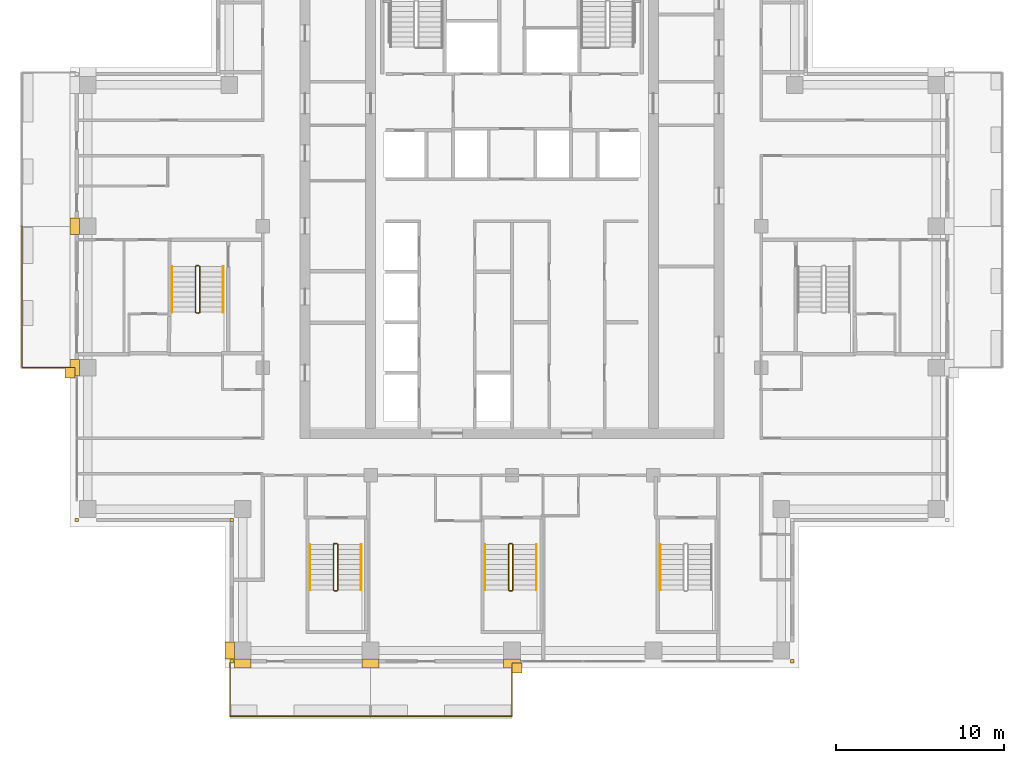
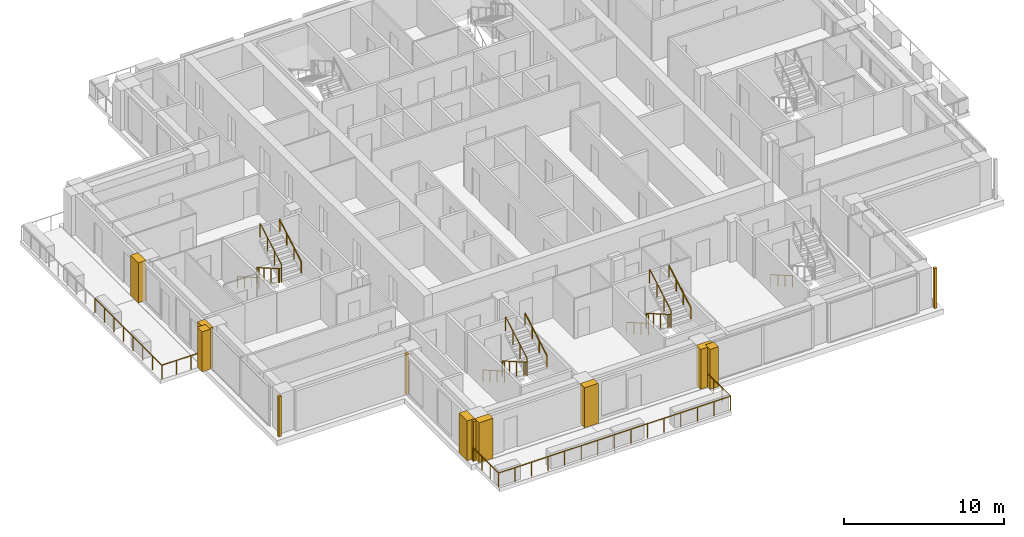
# One storey, part 14 of 17: 13 railings, 12 coverings.
"""IFC4 building model written with IfcOpenShell, lengths in metres."""

from ifc_helpers import new_model, si_unit, direction, frame, origin, origin_2d, place, context, subcontext, project, spatial, polyline, rectangle, outline, extrude, material, type_object, element, save


model = new_model("IFC4")

# Units and contexts
model_context = context("Model", 3, precision=1e-05, world=origin(), true_north=direction((0.0, 1.0)))
body_context = subcontext(model_context, "Body", "Model", "MODEL_VIEW")
ifc_project = project(units=[si_unit("LENGTHUNIT", "METRE"), si_unit("AREAUNIT", "SQUARE_METRE"), si_unit("VOLUMEUNIT", "CUBIC_METRE"), si_unit("PLANEANGLEUNIT", "RADIAN"), si_unit("MASSUNIT", "GRAM", prefix="KILO")], contexts=[model_context])

# Site, building, storey
site_placement = place(None, origin())
site = spatial("IfcSite", under=ifc_project, at=site_placement, CompositionType="ELEMENT")
building_placement = place(site_placement, origin())
building = spatial("IfcBuilding", under=site, at=building_placement, Name="Vermilion Ogive Tower", CompositionType="ELEMENT")
storey_placement = place(building_placement, frame((0.0, 0.0, 196.25)))
storey = spatial("IfcBuildingStorey", under=building, at=storey_placement, Name="L51", CompositionType="ELEMENT", Elevation=196.25)

# Railings
ifc_material_1 = material(Name="Stainless steel and glass", Category="steel")
railing_type_1 = type_object("IfcRailingType", Name="Balcony guard", PredefinedType="GUARDRAIL", material=ifc_material_1)
railing_1_placement = place(storey_placement, frame((-16.75, -21.75, -0.0400390625)))
element("IfcRailing", 1, at=railing_1_placement, inside=storey, type_object=railing_type_1, Name="Guard S01", PredefinedType="GUARDRAIL", context=body_context, shape_type="SweptSolid", body=[
    extrude(rectangle(XDim=0.048095703125, YDim=0.048095703125, at=origin_2d()), frame((0.0, 0.0, 1.076171875), z_axis=(0.0, -1.0, 0.0), x_axis=(1.0, 0.0, 0.0)), (0.0, 0.0, 1.0), 3.159912109375),
    extrude(rectangle(XDim=0.048095703125, YDim=0.048095703125, at=origin_2d()), frame((0.0, -3.159912109375, 1.076171875), z_axis=(1.0, 0.0, 0.0), x_axis=(0.0, 1.0, 0.0)), (0.0, 0.0, 1.0), 8.35009765625),
    extrude(rectangle(XDim=0.0419921875, YDim=0.0419921875, at=origin_2d()), origin(), (0.0, 0.0, 1.0), 1.052001953125),
    extrude(rectangle(XDim=0.0419921875, YDim=0.0419921875, at=origin_2d()), frame((0.0, -1.05322265625, 0.0)), (0.0, 0.0, 1.0), 1.052001953125),
    extrude(rectangle(XDim=0.0419921875, YDim=0.0419921875, at=origin_2d()), frame((0.0, -2.106689453125, 0.0)), (0.0, 0.0, 1.0), 1.052001953125),
    extrude(rectangle(XDim=0.0419921875, YDim=0.0419921875, at=origin_2d()), frame((0.0, -3.159912109375, 0.0)), (0.0, 0.0, 1.0), 1.052001953125),
    extrude(rectangle(XDim=0.0419921875, YDim=0.0419921875, at=origin_2d()), frame((1.19287109375, -3.159912109375, 0.0)), (0.0, 0.0, 1.0), 1.052001953125),
    extrude(rectangle(XDim=0.0419921875, YDim=0.0419921875, at=origin_2d()), frame((2.3857421875, -3.159912109375, 0.0)), (0.0, 0.0, 1.0), 1.052001953125),
    extrude(rectangle(XDim=0.0419921875, YDim=0.0419921875, at=origin_2d()), frame((3.57861328125, -3.159912109375, 0.0)), (0.0, 0.0, 1.0), 1.052001953125),
    extrude(rectangle(XDim=0.0419921875, YDim=0.0419921875, at=origin_2d()), frame((4.771484375, -3.159912109375, 0.0)), (0.0, 0.0, 1.0), 1.052001953125),
    extrude(rectangle(XDim=0.0419921875, YDim=0.0419921875, at=origin_2d()), frame((5.96435546875, -3.159912109375, 0.0)), (0.0, 0.0, 1.0), 1.052001953125),
    extrude(rectangle(XDim=0.0419921875, YDim=0.0419921875, at=origin_2d()), frame((7.1572265625, -3.159912109375, 0.0)), (0.0, 0.0, 1.0), 1.052001953125),
    extrude(rectangle(XDim=0.0419921875, YDim=0.0419921875, at=origin_2d()), frame((8.35009765625, -3.159912109375, 0.0)), (0.0, 0.0, 1.0), 1.052001953125),
])
railing_2_placement = place(storey_placement, frame((-8.39990234375, -24.909912109375, -0.0400390625)))
element("IfcRailing", 2, at=railing_2_placement, inside=storey, type_object=railing_type_1, Name="Guard S02", PredefinedType="GUARDRAIL", context=body_context, shape_type="SweptSolid", body=[
    extrude(rectangle(XDim=0.048095703125, YDim=0.048095703125, at=origin_2d()), frame((0.0, 0.0, 1.076171875), z_axis=(1.0, 0.0, 0.0), x_axis=(0.0, 1.0, 0.0)), (0.0, 0.0, 1.0), 8.39990234375),
    extrude(rectangle(XDim=0.048095703125, YDim=0.048095703125, at=origin_2d()), frame((8.39990234375, 0.0, 1.076171875), z_axis=(0.0, 1.0, 0.0), x_axis=(-1.0, 0.0, 0.0)), (0.0, 0.0, 1.0), 3.159912109375),
    extrude(rectangle(XDim=0.0419921875, YDim=0.0419921875, at=origin_2d()), origin(), (0.0, 0.0, 1.0), 1.052001953125),
    extrude(rectangle(XDim=0.0419921875, YDim=0.0419921875, at=origin_2d()), frame((1.199951171875, 0.0, 0.0)), (0.0, 0.0, 1.0), 1.052001953125),
    extrude(rectangle(XDim=0.0419921875, YDim=0.0419921875, at=origin_2d()), frame((2.39990234375, 0.0, 0.0)), (0.0, 0.0, 1.0), 1.052001953125),
    extrude(rectangle(XDim=0.0419921875, YDim=0.0419921875, at=origin_2d()), frame((3.599853515625, 0.0, 0.0)), (0.0, 0.0, 1.0), 1.052001953125),
    extrude(rectangle(XDim=0.0419921875, YDim=0.0419921875, at=origin_2d()), frame((4.800048828125, 0.0, 0.0)), (0.0, 0.0, 1.0), 1.052001953125),
    extrude(rectangle(XDim=0.0419921875, YDim=0.0419921875, at=origin_2d()), frame((6.0, 0.0, 0.0)), (0.0, 0.0, 1.0), 1.052001953125),
    extrude(rectangle(XDim=0.0419921875, YDim=0.0419921875, at=origin_2d()), frame((7.199951171875, 0.0, 0.0)), (0.0, 0.0, 1.0), 1.052001953125),
    extrude(rectangle(XDim=0.0419921875, YDim=0.0419921875, at=origin_2d()), frame((8.39990234375, 0.0, 0.0)), (0.0, 0.0, 1.0), 1.052001953125),
    extrude(rectangle(XDim=0.0419921875, YDim=0.0419921875, at=origin_2d()), frame((8.39990234375, 1.05322265625, 0.0)), (0.0, 0.0, 1.0), 1.052001953125),
    extrude(rectangle(XDim=0.0419921875, YDim=0.0419921875, at=origin_2d()), frame((8.39990234375, 2.106689453125, 0.0)), (0.0, 0.0, 1.0), 1.052001953125),
    extrude(rectangle(XDim=0.0419921875, YDim=0.0419921875, at=origin_2d()), frame((8.39990234375, 3.159912109375, 0.0)), (0.0, 0.0, 1.0), 1.052001953125),
])
railing_3_placement = place(storey_placement, frame((-29.110107421875, 4.199951171875, -0.0400390625)))
element("IfcRailing", 3, at=railing_3_placement, inside=storey, type_object=railing_type_1, Name="Guard W02", PredefinedType="GUARDRAIL", context=body_context, shape_type="SweptSolid", body=[
    extrude(rectangle(XDim=0.048095703125, YDim=0.048095703125, at=origin_2d()), frame((0.0, 0.0, 1.076171875), z_axis=(0.0, -1.0, 0.0), x_axis=(1.0, 0.0, 0.0)), (0.0, 0.0, 1.0), 8.39990234375),
    extrude(rectangle(XDim=0.048095703125, YDim=0.048095703125, at=origin_2d()), frame((0.0, -8.39990234375, 1.076171875), z_axis=(1.0, 0.0, 0.0), x_axis=(0.0, 1.0, 0.0)), (0.0, 0.0, 1.0), 3.16015625),
    extrude(rectangle(XDim=0.0419921875, YDim=0.0419921875, at=origin_2d()), origin(), (0.0, 0.0, 1.0), 1.052001953125),
    extrude(rectangle(XDim=0.0419921875, YDim=0.0419921875, at=origin_2d()), frame((0.0, -1.199951171875, 0.0)), (0.0, 0.0, 1.0), 1.052001953125),
    extrude(rectangle(XDim=0.0419921875, YDim=0.0419921875, at=origin_2d()), frame((0.0, -2.39990234375, 0.0)), (0.0, 0.0, 1.0), 1.052001953125),
    extrude(rectangle(XDim=0.0419921875, YDim=0.0419921875, at=origin_2d()), frame((0.0, -3.599853515625, 0.0)), (0.0, 0.0, 1.0), 1.052001953125),
    extrude(rectangle(XDim=0.0419921875, YDim=0.0419921875, at=origin_2d()), frame((0.0, -4.800048828125, 0.0)), (0.0, 0.0, 1.0), 1.052001953125),
    extrude(rectangle(XDim=0.0419921875, YDim=0.0419921875, at=origin_2d()), frame((0.0, -6.0, 0.0)), (0.0, 0.0, 1.0), 1.052001953125),
    extrude(rectangle(XDim=0.0419921875, YDim=0.0419921875, at=origin_2d()), frame((0.0, -7.199951171875, 0.0)), (0.0, 0.0, 1.0), 1.052001953125),
    extrude(rectangle(XDim=0.0419921875, YDim=0.0419921875, at=origin_2d()), frame((0.0, -8.39990234375, 0.0)), (0.0, 0.0, 1.0), 1.052001953125),
    extrude(rectangle(XDim=0.0419921875, YDim=0.0419921875, at=origin_2d()), frame((1.053466796875, -8.39990234375, 0.0)), (0.0, 0.0, 1.0), 1.052001953125),
    extrude(rectangle(XDim=0.0419921875, YDim=0.0419921875, at=origin_2d()), frame((2.106689453125, -8.39990234375, 0.0)), (0.0, 0.0, 1.0), 1.052001953125),
    extrude(rectangle(XDim=0.0419921875, YDim=0.0419921875, at=origin_2d()), frame((3.16015625, -8.39990234375, 0.0)), (0.0, 0.0, 1.0), 1.052001953125),
])
ifc_material_2 = material(Name="Steel S355 painted", Category="steel")
railing_type_2 = type_object("IfcRailingType", Name="Stair guard 1100", PredefinedType="GUARDRAIL", material=ifc_material_2)
railing_4_placement = place(storey_placement, frame((-10.39990234375, -14.64990234375, 0.0)))
element("IfcRailing", 4, at=railing_4_placement, inside=storey, type_object=railing_type_2, Name="L51 ST3 stair guard 4", PredefinedType="GUARDRAIL", context=body_context, shape_type="SweptSolid", body=[
    extrude(rectangle(XDim=0.048095703125, YDim=0.048095703125, at=origin_2d()), frame((0.0, 0.0, 1.076171875), z_axis=(-1.0, 0.0, 0.0), x_axis=(0.0, -1.0, 0.0)), (0.0, 0.0, 1.0), 0.150146484375),
    extrude(rectangle(XDim=0.048095703125, YDim=0.048095703125, at=origin_2d()), frame((-0.150146484375, 0.0, 1.076171875), z_axis=(-0.268277960024, -0.268277960024, 0.925231793839), x_axis=(0.707106781187, -0.707106781187, 0.0)), (0.0, 0.0, 1.0), 0.1865234375),
    extrude(rectangle(XDim=0.048095703125, YDim=0.048095703125, at=origin_2d()), frame((-0.2001953125, -0.050048828125, 1.24853515625), z_axis=(0.0, -0.866903762492, 0.498475542607), x_axis=(1.0, 0.0, 0.0)), (0.0, 0.0, 1.0), 3.114501953125),
    extrude(rectangle(XDim=0.048095703125, YDim=0.048095703125, at=origin_2d()), frame((-0.2001953125, -2.75, 2.80126953125), z_axis=(0.707106781187, -0.707106781187, 0.0), x_axis=(0.707106781187, 0.707106781187, 0.0)), (0.0, 0.0, 1.0), 0.07080078125),
    extrude(rectangle(XDim=0.048095703125, YDim=0.048095703125, at=origin_2d()), frame((-0.150146484375, -2.800048828125, 2.80126953125), z_axis=(1.0, 0.0, 0.0), x_axis=(0.0, 1.0, 0.0)), (0.0, 0.0, 1.0), 0.150146484375),
    extrude(rectangle(XDim=0.048095703125, YDim=0.048095703125, at=origin_2d()), frame((0.0, -2.800048828125, 2.80126953125), z_axis=(0.267386790225, 0.268697509785, 0.925368009307), x_axis=(-0.708833529934, 0.705375805398, 0.0)), (0.0, 0.0, 1.0), 0.186279296875),
    extrude(rectangle(XDim=0.048095703125, YDim=0.048095703125, at=origin_2d()), frame((0.0498046875, -2.75, 2.9736328125), z_axis=(0.0, 0.866903762492, 0.498475542607), x_axis=(-1.0, 0.0, 0.0)), (0.0, 0.0, 1.0), 3.114501953125),
    extrude(rectangle(XDim=0.0419921875, YDim=0.0419921875, at=origin_2d()), origin(), (0.0, 0.0, 1.0), 1.052001953125),
    extrude(rectangle(XDim=0.0419921875, YDim=0.0419921875, at=origin_2d()), frame((-0.150146484375, 0.0, 0.0)), (0.0, 0.0, 1.0), 1.052001953125),
    extrude(rectangle(XDim=0.0419921875, YDim=0.0419921875, at=origin_2d()), frame((-0.2001953125, -0.050048828125, 0.172607421875)), (0.0, 0.0, 1.0), 1.052001953125),
    extrude(rectangle(XDim=0.0419921875, YDim=0.0419921875, at=origin_2d()), frame((-0.2001953125, -0.949951171875, 0.690185546875)), (0.0, 0.0, 1.0), 1.052001953125),
    extrude(rectangle(XDim=0.0419921875, YDim=0.0419921875, at=origin_2d()), frame((-0.2001953125, -1.85009765625, 1.20751953125)), (0.0, 0.0, 1.0), 1.052001953125),
    extrude(rectangle(XDim=0.0419921875, YDim=0.0419921875, at=origin_2d()), frame((-0.2001953125, -2.75, 1.72509765625)), (0.0, 0.0, 1.0), 1.052001953125),
    extrude(rectangle(XDim=0.0419921875, YDim=0.0419921875, at=origin_2d()), frame((-0.150146484375, -2.800048828125, 1.72509765625)), (0.0, 0.0, 1.0), 1.052001953125),
    extrude(rectangle(XDim=0.0419921875, YDim=0.0419921875, at=origin_2d()), frame((0.0, -2.800048828125, 1.72509765625)), (0.0, 0.0, 1.0), 1.052001953125),
    extrude(rectangle(XDim=0.0419921875, YDim=0.0419921875, at=origin_2d()), frame((0.0498046875, -2.75, 1.8974609375)), (0.0, 0.0, 1.0), 1.052001953125),
    extrude(rectangle(XDim=0.0419921875, YDim=0.0419921875, at=origin_2d()), frame((0.0498046875, -1.85009765625, 2.4150390625)), (0.0, 0.0, 1.0), 1.052001953125),
    extrude(rectangle(XDim=0.0419921875, YDim=0.0419921875, at=origin_2d()), frame((0.0498046875, -0.949951171875, 2.932373046875)), (0.0, 0.0, 1.0), 1.052001953125),
    extrude(rectangle(XDim=0.0419921875, YDim=0.0419921875, at=origin_2d()), frame((0.0498046875, -0.050048828125, 3.449951171875)), (0.0, 0.0, 1.0), 1.052001953125),
])
railing_5_placement = place(storey_placement, frame((0.0, -14.64990234375, 0.0)))
element("IfcRailing", 5, at=railing_5_placement, inside=storey, type_object=railing_type_2, Name="L51 ST4 stair guard 4", PredefinedType="GUARDRAIL", context=body_context, shape_type="SweptSolid", body=[
    extrude(rectangle(XDim=0.048095703125, YDim=0.048095703125, at=origin_2d()), frame((0.0, 0.0, 1.076171875), z_axis=(-1.0, 0.0, 0.0), x_axis=(0.0, -1.0, 0.0)), (0.0, 0.0, 1.0), 0.14990234375),
    extrude(rectangle(XDim=0.048095703125, YDim=0.048095703125, at=origin_2d()), frame((-0.14990234375, 0.0, 1.076171875), z_axis=(-0.268277960024, -0.268277960024, 0.925231793839), x_axis=(0.707106781187, -0.707106781187, 0.0)), (0.0, 0.0, 1.0), 0.1865234375),
    extrude(rectangle(XDim=0.048095703125, YDim=0.048095703125, at=origin_2d()), frame((-0.199951171875, -0.050048828125, 1.24853515625), z_axis=(0.0, -0.866903762492, 0.498475542607), x_axis=(1.0, 0.0, 0.0)), (0.0, 0.0, 1.0), 3.114501953125),
    extrude(rectangle(XDim=0.048095703125, YDim=0.048095703125, at=origin_2d()), frame((-0.199951171875, -2.75, 2.80126953125), z_axis=(0.707106781187, -0.707106781187, 0.0), x_axis=(0.707106781187, 0.707106781187, 0.0)), (0.0, 0.0, 1.0), 0.07080078125),
    extrude(rectangle(XDim=0.048095703125, YDim=0.048095703125, at=origin_2d()), frame((-0.14990234375, -2.800048828125, 2.80126953125), z_axis=(1.0, 0.0, 0.0), x_axis=(0.0, 1.0, 0.0)), (0.0, 0.0, 1.0), 0.14990234375),
    extrude(rectangle(XDim=0.048095703125, YDim=0.048095703125, at=origin_2d()), frame((0.0, -2.800048828125, 2.80126953125), z_axis=(0.268603158521, 0.268603158521, 0.925043072762), x_axis=(-0.707106781187, 0.707106781187, 0.0)), (0.0, 0.0, 1.0), 0.186279296875),
    extrude(rectangle(XDim=0.048095703125, YDim=0.048095703125, at=origin_2d()), frame((0.050048828125, -2.75, 2.9736328125), z_axis=(0.0, 0.866903762492, 0.498475542607), x_axis=(-1.0, 0.0, 0.0)), (0.0, 0.0, 1.0), 3.114501953125),
    extrude(rectangle(XDim=0.0419921875, YDim=0.0419921875, at=origin_2d()), origin(), (0.0, 0.0, 1.0), 1.052001953125),
    extrude(rectangle(XDim=0.0419921875, YDim=0.0419921875, at=origin_2d()), frame((-0.14990234375, 0.0, 0.0)), (0.0, 0.0, 1.0), 1.052001953125),
    extrude(rectangle(XDim=0.0419921875, YDim=0.0419921875, at=origin_2d()), frame((-0.199951171875, -0.050048828125, 0.172607421875)), (0.0, 0.0, 1.0), 1.052001953125),
    extrude(rectangle(XDim=0.0419921875, YDim=0.0419921875, at=origin_2d()), frame((-0.199951171875, -0.949951171875, 0.690185546875)), (0.0, 0.0, 1.0), 1.052001953125),
    extrude(rectangle(XDim=0.0419921875, YDim=0.0419921875, at=origin_2d()), frame((-0.199951171875, -1.85009765625, 1.20751953125)), (0.0, 0.0, 1.0), 1.052001953125),
    extrude(rectangle(XDim=0.0419921875, YDim=0.0419921875, at=origin_2d()), frame((-0.199951171875, -2.75, 1.72509765625)), (0.0, 0.0, 1.0), 1.052001953125),
    extrude(rectangle(XDim=0.0419921875, YDim=0.0419921875, at=origin_2d()), frame((-0.14990234375, -2.800048828125, 1.72509765625)), (0.0, 0.0, 1.0), 1.052001953125),
    extrude(rectangle(XDim=0.0419921875, YDim=0.0419921875, at=origin_2d()), frame((0.0, -2.800048828125, 1.72509765625)), (0.0, 0.0, 1.0), 1.052001953125),
    extrude(rectangle(XDim=0.0419921875, YDim=0.0419921875, at=origin_2d()), frame((0.050048828125, -2.75, 1.8974609375)), (0.0, 0.0, 1.0), 1.052001953125),
    extrude(rectangle(XDim=0.0419921875, YDim=0.0419921875, at=origin_2d()), frame((0.050048828125, -1.85009765625, 2.4150390625)), (0.0, 0.0, 1.0), 1.052001953125),
    extrude(rectangle(XDim=0.0419921875, YDim=0.0419921875, at=origin_2d()), frame((0.050048828125, -0.949951171875, 2.932373046875)), (0.0, 0.0, 1.0), 1.052001953125),
    extrude(rectangle(XDim=0.0419921875, YDim=0.0419921875, at=origin_2d()), frame((0.050048828125, -0.050048828125, 3.449951171875)), (0.0, 0.0, 1.0), 1.052001953125),
])
railing_6_placement = place(storey_placement, frame((-18.60009765625, 1.85009765625, 0.0)))
element("IfcRailing", 6, at=railing_6_placement, inside=storey, type_object=railing_type_2, Name="L51 ST9 stair guard 4", PredefinedType="GUARDRAIL", context=body_context, shape_type="SweptSolid", body=[
    extrude(rectangle(XDim=0.048095703125, YDim=0.048095703125, at=origin_2d()), frame((0.0, 0.0, 1.076171875), z_axis=(-1.0, 0.0, 0.0), x_axis=(0.0, -1.0, 0.0)), (0.0, 0.0, 1.0), 0.14990234375),
    extrude(rectangle(XDim=0.048095703125, YDim=0.048095703125, at=origin_2d()), frame((-0.14990234375, 0.0, 1.076171875), z_axis=(-0.268277960024, -0.268277960024, 0.925231793839), x_axis=(0.707106781187, -0.707106781187, 0.0)), (0.0, 0.0, 1.0), 0.1865234375),
    extrude(rectangle(XDim=0.048095703125, YDim=0.048095703125, at=origin_2d()), frame((-0.199951171875, -0.050048828125, 1.24853515625), z_axis=(0.0, -0.866903762492, 0.498475542607), x_axis=(1.0, 0.0, 0.0)), (0.0, 0.0, 1.0), 3.114501953125),
    extrude(rectangle(XDim=0.048095703125, YDim=0.048095703125, at=origin_2d()), frame((-0.199951171875, -2.75, 2.80126953125), z_axis=(0.707106781187, -0.707106781187, 0.0), x_axis=(0.707106781187, 0.707106781187, 0.0)), (0.0, 0.0, 1.0), 0.07080078125),
    extrude(rectangle(XDim=0.048095703125, YDim=0.048095703125, at=origin_2d()), frame((-0.14990234375, -2.800048828125, 2.80126953125), z_axis=(1.0, 0.0, 0.0), x_axis=(0.0, 1.0, 0.0)), (0.0, 0.0, 1.0), 0.14990234375),
    extrude(rectangle(XDim=0.048095703125, YDim=0.048095703125, at=origin_2d()), frame((0.0, -2.800048828125, 2.80126953125), z_axis=(0.268603158521, 0.268603158521, 0.925043072762), x_axis=(-0.707106781187, 0.707106781187, 0.0)), (0.0, 0.0, 1.0), 0.186279296875),
    extrude(rectangle(XDim=0.048095703125, YDim=0.048095703125, at=origin_2d()), frame((0.050048828125, -2.75, 2.9736328125), z_axis=(0.0, 0.866903762492, 0.498475542607), x_axis=(-1.0, 0.0, 0.0)), (0.0, 0.0, 1.0), 3.114501953125),
    extrude(rectangle(XDim=0.0419921875, YDim=0.0419921875, at=origin_2d()), origin(), (0.0, 0.0, 1.0), 1.052001953125),
    extrude(rectangle(XDim=0.0419921875, YDim=0.0419921875, at=origin_2d()), frame((-0.14990234375, 0.0, 0.0)), (0.0, 0.0, 1.0), 1.052001953125),
    extrude(rectangle(XDim=0.0419921875, YDim=0.0419921875, at=origin_2d()), frame((-0.199951171875, -0.050048828125, 0.172607421875)), (0.0, 0.0, 1.0), 1.052001953125),
    extrude(rectangle(XDim=0.0419921875, YDim=0.0419921875, at=origin_2d()), frame((-0.199951171875, -0.949951171875, 0.690185546875)), (0.0, 0.0, 1.0), 1.052001953125),
    extrude(rectangle(XDim=0.0419921875, YDim=0.0419921875, at=origin_2d()), frame((-0.199951171875, -1.85009765625, 1.20751953125)), (0.0, 0.0, 1.0), 1.052001953125),
    extrude(rectangle(XDim=0.0419921875, YDim=0.0419921875, at=origin_2d()), frame((-0.199951171875, -2.75, 1.72509765625)), (0.0, 0.0, 1.0), 1.052001953125),
    extrude(rectangle(XDim=0.0419921875, YDim=0.0419921875, at=origin_2d()), frame((-0.14990234375, -2.800048828125, 1.72509765625)), (0.0, 0.0, 1.0), 1.052001953125),
    extrude(rectangle(XDim=0.0419921875, YDim=0.0419921875, at=origin_2d()), frame((0.0, -2.800048828125, 1.72509765625)), (0.0, 0.0, 1.0), 1.052001953125),
    extrude(rectangle(XDim=0.0419921875, YDim=0.0419921875, at=origin_2d()), frame((0.050048828125, -2.75, 1.8974609375)), (0.0, 0.0, 1.0), 1.052001953125),
    extrude(rectangle(XDim=0.0419921875, YDim=0.0419921875, at=origin_2d()), frame((0.050048828125, -1.85009765625, 2.4150390625)), (0.0, 0.0, 1.0), 1.052001953125),
    extrude(rectangle(XDim=0.0419921875, YDim=0.0419921875, at=origin_2d()), frame((0.050048828125, -0.949951171875, 2.932373046875)), (0.0, 0.0, 1.0), 1.052001953125),
    extrude(rectangle(XDim=0.0419921875, YDim=0.0419921875, at=origin_2d()), frame((0.050048828125, -0.050048828125, 3.449951171875)), (0.0, 0.0, 1.0), 1.052001953125),
])
ifc_material_3 = material(Name="Stainless steel", Category="steel")
railing_type_3 = type_object("IfcRailingType", Name="Stair handrail 900", PredefinedType="HANDRAIL", material=ifc_material_3)
railing_7_placement = place(storey_placement, frame((-12.0, -14.699951171875, 0.172607421875)))
element("IfcRailing", 7, at=railing_7_placement, inside=storey, type_object=railing_type_3, Name="L51 ST3 stair handrail 1", PredefinedType="HANDRAIL", context=body_context, shape_type="SweptSolid", body=[
    extrude(rectangle(XDim=0.048095703125, YDim=0.048095703125, at=origin_2d()), frame((0.0, 0.0, 0.8759765625), z_axis=(0.0, -0.866903762492, 0.498475542607), x_axis=(1.0, 0.0, 0.0)), (0.0, 0.0, 1.0), 3.114501953125),
    extrude(rectangle(XDim=0.0419921875, YDim=0.0419921875, at=origin_2d()), origin(), (0.0, 0.0, 1.0), 0.851806640625),
    extrude(rectangle(XDim=0.0419921875, YDim=0.0419921875, at=origin_2d()), frame((0.0, -0.89990234375, 0.517578125)), (0.0, 0.0, 1.0), 0.851806640625),
    extrude(rectangle(XDim=0.0419921875, YDim=0.0419921875, at=origin_2d()), frame((0.0, -1.800048828125, 1.034912109375)), (0.0, 0.0, 1.0), 0.851806640625),
    extrude(rectangle(XDim=0.0419921875, YDim=0.0419921875, at=origin_2d()), frame((0.0, -2.699951171875, 1.552490234375)), (0.0, 0.0, 1.0), 0.851806640625),
])
railing_8_placement = place(storey_placement, frame((-8.949951171875, -17.39990234375, 1.8974609375)))
element("IfcRailing", 8, at=railing_8_placement, inside=storey, type_object=railing_type_3, Name="L51 ST3 stair handrail 2", PredefinedType="HANDRAIL", context=body_context, shape_type="SweptSolid", body=[
    extrude(rectangle(XDim=0.048095703125, YDim=0.048095703125, at=origin_2d()), frame((0.0, 0.0, 0.8759765625), z_axis=(0.0, 0.866903762492, 0.498475542607), x_axis=(-1.0, 0.0, 0.0)), (0.0, 0.0, 1.0), 3.114501953125),
    extrude(rectangle(XDim=0.0419921875, YDim=0.0419921875, at=origin_2d()), origin(), (0.0, 0.0, 1.0), 0.851806640625),
    extrude(rectangle(XDim=0.0419921875, YDim=0.0419921875, at=origin_2d()), frame((0.0, 0.89990234375, 0.517578125)), (0.0, 0.0, 1.0), 0.851806640625),
    extrude(rectangle(XDim=0.0419921875, YDim=0.0419921875, at=origin_2d()), frame((0.0, 1.800048828125, 1.034912109375)), (0.0, 0.0, 1.0), 0.851806640625),
    extrude(rectangle(XDim=0.0419921875, YDim=0.0419921875, at=origin_2d()), frame((0.0, 2.699951171875, 1.552490234375)), (0.0, 0.0, 1.0), 0.851806640625),
])
railing_9_placement = place(storey_placement, frame((-1.60009765625, -14.699951171875, 0.172607421875)))
element("IfcRailing", 9, at=railing_9_placement, inside=storey, type_object=railing_type_3, Name="L51 ST4 stair handrail 1", PredefinedType="HANDRAIL", context=body_context, shape_type="SweptSolid", body=[
    extrude(rectangle(XDim=0.048095703125, YDim=0.048095703125, at=origin_2d()), frame((0.0, 0.0, 0.8759765625), z_axis=(0.0, -0.866903762492, 0.498475542607), x_axis=(1.0, 0.0, 0.0)), (0.0, 0.0, 1.0), 3.114501953125),
    extrude(rectangle(XDim=0.0419921875, YDim=0.0419921875, at=origin_2d()), origin(), (0.0, 0.0, 1.0), 0.851806640625),
    extrude(rectangle(XDim=0.0419921875, YDim=0.0419921875, at=origin_2d()), frame((0.0, -0.89990234375, 0.517578125)), (0.0, 0.0, 1.0), 0.851806640625),
    extrude(rectangle(XDim=0.0419921875, YDim=0.0419921875, at=origin_2d()), frame((0.0, -1.800048828125, 1.034912109375)), (0.0, 0.0, 1.0), 0.851806640625),
    extrude(rectangle(XDim=0.0419921875, YDim=0.0419921875, at=origin_2d()), frame((0.0, -2.699951171875, 1.552490234375)), (0.0, 0.0, 1.0), 0.851806640625),
])
railing_10_placement = place(storey_placement, frame((1.449951171875, -17.39990234375, 1.8974609375)))
element("IfcRailing", 10, at=railing_10_placement, inside=storey, type_object=railing_type_3, Name="L51 ST4 stair handrail 2", PredefinedType="HANDRAIL", context=body_context, shape_type="SweptSolid", body=[
    extrude(rectangle(XDim=0.048095703125, YDim=0.048095703125, at=origin_2d()), frame((0.0, 0.0, 0.8759765625), z_axis=(0.0, 0.866903762492, 0.498475542607), x_axis=(-1.0, 0.0, 0.0)), (0.0, 0.0, 1.0), 3.114501953125),
    extrude(rectangle(XDim=0.0419921875, YDim=0.0419921875, at=origin_2d()), origin(), (0.0, 0.0, 1.0), 0.851806640625),
    extrude(rectangle(XDim=0.0419921875, YDim=0.0419921875, at=origin_2d()), frame((0.0, 0.89990234375, 0.517578125)), (0.0, 0.0, 1.0), 0.851806640625),
    extrude(rectangle(XDim=0.0419921875, YDim=0.0419921875, at=origin_2d()), frame((0.0, 1.800048828125, 1.034912109375)), (0.0, 0.0, 1.0), 0.851806640625),
    extrude(rectangle(XDim=0.0419921875, YDim=0.0419921875, at=origin_2d()), frame((0.0, 2.699951171875, 1.552490234375)), (0.0, 0.0, 1.0), 0.851806640625),
])
for number, where, name in (
    (11, (8.800048828125, -14.699951171875, 0.172607421875), "L51 ST5 stair handrail 1"),
    (12, (-20.199951171875, 1.800048828125, 0.172607421875), "L51 ST9 stair handrail 1"),
):
    element("IfcRailing", number, at=place(storey_placement, frame(where)), inside=storey, type_object=railing_type_3, Name=name, PredefinedType="HANDRAIL", context=body_context, shape_type="SweptSolid", body=[
        extrude(rectangle(XDim=0.048095703125, YDim=0.048095703125, at=origin_2d()), frame((0.0, 0.0, 0.8759765625), z_axis=(0.0, -0.866903762492, 0.498475542607), x_axis=(1.0, 0.0, 0.0)), (0.0, 0.0, 1.0), 3.114501953125),
        extrude(rectangle(XDim=0.0419921875, YDim=0.0419921875, at=origin_2d()), origin(), (0.0, 0.0, 1.0), 0.851806640625),
        extrude(rectangle(XDim=0.0419921875, YDim=0.0419921875, at=origin_2d()), frame((0.0, -0.89990234375, 0.517578125)), (0.0, 0.0, 1.0), 0.851806640625),
        extrude(rectangle(XDim=0.0419921875, YDim=0.0419921875, at=origin_2d()), frame((0.0, -1.800048828125, 1.034912109375)), (0.0, 0.0, 1.0), 0.851806640625),
        extrude(rectangle(XDim=0.0419921875, YDim=0.0419921875, at=origin_2d()), frame((0.0, -2.699951171875, 1.552490234375)), (0.0, 0.0, 1.0), 0.851806640625),
    ])
railing_11_placement = place(storey_placement, frame((-17.14990234375, -0.89990234375, 1.8974609375)))
element("IfcRailing", 13, at=railing_11_placement, inside=storey, type_object=railing_type_3, Name="L51 ST9 stair handrail 2", PredefinedType="HANDRAIL", context=body_context, shape_type="SweptSolid", body=[
    extrude(rectangle(XDim=0.048095703125, YDim=0.048095703125, at=origin_2d()), frame((0.0, 0.0, 0.8759765625), z_axis=(0.0, 0.866903762492, 0.498475542607), x_axis=(-1.0, 0.0, 0.0)), (0.0, 0.0, 1.0), 3.114501953125),
    extrude(rectangle(XDim=0.0419921875, YDim=0.0419921875, at=origin_2d()), origin(), (0.0, 0.0, 1.0), 0.851806640625),
    extrude(rectangle(XDim=0.0419921875, YDim=0.0419921875, at=origin_2d()), frame((0.0, 0.89990234375, 0.517578125)), (0.0, 0.0, 1.0), 0.851806640625),
    extrude(rectangle(XDim=0.0419921875, YDim=0.0419921875, at=origin_2d()), frame((0.0, 1.800048828125, 1.034912109375)), (0.0, 0.0, 1.0), 0.851806640625),
    extrude(rectangle(XDim=0.0419921875, YDim=0.0419921875, at=origin_2d()), frame((0.0, 2.699951171875, 1.552490234375)), (0.0, 0.0, 1.0), 0.851806640625),
])

# Coverings
ifc_material_4 = material(Name="Stone cladding", Category="masonry")
covering_type_1 = type_object("IfcCoveringType", Name="Stone corner buttress", PredefinedType="CLADDING", material=ifc_material_4)
covering_1_placement = place(storey_placement, origin())
element("IfcCovering", 14, at=covering_1_placement, inside=storey, type_object=covering_type_1, Name="Stone crease pier SK", PredefinedType="CLADDING", context=body_context, shape_type="SweptSolid", body=[
    extrude(outline(polyline([(0.0, -22.35009765625), (0.60009765625, -22.35009765625), (0.60009765625, -21.75), (0.0, -21.75), (0.0, -22.35009765625)])), origin(), (0.0, 0.0, 1.0), 3.050048828125),
])
covering_2_placement = place(storey_placement, origin())
element("IfcCovering", 15, at=covering_2_placement, inside=storey, type_object=covering_type_1, Name="Stone crease pier WK", PredefinedType="CLADDING", context=body_context, shape_type="SweptSolid", body=[
    extrude(outline(polyline([(-26.550048828125, -4.199951171875), (-26.550048828125, -4.800048828125), (-25.949951171875, -4.800048828125), (-25.949951171875, -4.199951171875), (-26.550048828125, -4.199951171875)])), origin(), (0.0, 0.0, 1.0), 3.050048828125),
])
ifc_material_5 = material(Name="Stone cladding", Category="masonry")
covering_type_2 = type_object("IfcCoveringType", Name="Stone pier", PredefinedType="CLADDING", material=ifc_material_5)
covering_3_placement = place(storey_placement, origin())
element("IfcCovering", 16, at=covering_3_placement, inside=storey, type_object=covering_type_2, Name="Stone corner pier SE1", PredefinedType="CLADDING", context=body_context, shape_type="SweptSolid", body=[
    extrude(outline(polyline([(16.550048828125, -21.550048828125), (16.75, -21.550048828125), (16.75, -21.75), (16.550048828125, -21.75), (16.550048828125, -21.550048828125)])), origin(), (0.0, 0.0, 1.0), 3.050048828125),
])
covering_4_placement = place(storey_placement, origin())
element("IfcCovering", 17, at=covering_4_placement, inside=storey, type_object=covering_type_2, Name="Stone corner pier WE1", PredefinedType="CLADDING", context=body_context, shape_type="SweptSolid", body=[
    extrude(outline(polyline([(-25.75, -13.14990234375), (-25.75, -13.35009765625), (-25.949951171875, -13.35009765625), (-25.949951171875, -13.14990234375), (-25.75, -13.14990234375)])), origin(), (0.0, 0.0, 1.0), 3.050048828125),
])
covering_5_placement = place(storey_placement, origin())
element("IfcCovering", 18, at=covering_5_placement, inside=storey, type_object=covering_type_2, Name="Stone corner pier X7E1", PredefinedType="CLADDING", context=body_context, shape_type="SweptSolid", body=[
    extrude(outline(polyline([(-16.550048828125, -13.14990234375), (-16.550048828125, -13.35009765625), (-16.75, -13.35009765625), (-16.75, -13.14990234375), (-16.550048828125, -13.14990234375)])), origin(), (0.0, 0.0, 1.0), 3.050048828125),
])
covering_6_placement = place(storey_placement, origin())
element("IfcCovering", 19, at=covering_6_placement, inside=storey, type_object=covering_type_2, Name="Stone corner pier X8E1", PredefinedType="CLADDING", context=body_context, shape_type="SweptSolid", body=[
    extrude(outline(polyline([(-16.550048828125, -21.550048828125), (-16.550048828125, -21.75), (-16.75, -21.75), (-16.75, -21.550048828125), (-16.550048828125, -21.550048828125)])), origin(), (0.0, 0.0, 1.0), 3.050048828125),
])
covering_7_placement = place(storey_placement, origin())
element("IfcCovering", 20, at=covering_7_placement, inside=storey, type_object=covering_type_2, Name="Stone pier P+0000-210", PredefinedType="CLADDING", context=body_context, shape_type="SweptSolid", body=[
    extrude(outline(polyline([(0.5, -21.75), (0.0, -21.75), (0.0, -22.050048828125), (-0.5, -22.050048828125), (-0.5, -21.5), (0.5, -21.5), (0.5, -21.75)])), origin(), (0.0, 0.0, 1.0), 3.050048828125),
])
covering_8_placement = place(storey_placement, origin())
element("IfcCovering", 21, at=covering_8_placement, inside=storey, type_object=covering_type_2, Name="Stone pier P-0084-210", PredefinedType="CLADDING", context=body_context, shape_type="SweptSolid", body=[
    extrude(outline(polyline([(-7.89990234375, -22.050048828125), (-8.89990234375, -22.050048828125), (-8.89990234375, -21.5), (-7.89990234375, -21.5), (-7.89990234375, -22.050048828125)])), origin(), (0.0, 0.0, 1.0), 3.050048828125),
])
covering_9_placement = place(storey_placement, origin())
element("IfcCovering", 22, at=covering_9_placement, inside=storey, type_object=covering_type_2, Name="Stone pier P-0160-210S", PredefinedType="CLADDING", context=body_context, shape_type="SweptSolid", body=[
    extrude(outline(polyline([(-15.5, -22.050048828125), (-16.5, -22.050048828125), (-16.5, -21.5), (-15.5, -21.5), (-15.5, -22.050048828125)])), origin(), (0.0, 0.0, 1.0), 3.050048828125),
])
covering_10_placement = place(storey_placement, origin())
element("IfcCovering", 23, at=covering_10_placement, inside=storey, type_object=covering_type_2, Name="Stone pier P-0160-210X8", PredefinedType="CLADDING", context=body_context, shape_type="SweptSolid", body=[
    extrude(outline(polyline([(-17.050048828125, -20.5), (-16.5, -20.5), (-16.5, -21.5), (-17.050048828125, -21.5), (-17.050048828125, -20.5)])), origin(), (0.0, 0.0, 1.0), 3.050048828125),
])
covering_11_placement = place(storey_placement, origin())
element("IfcCovering", 24, at=covering_11_placement, inside=storey, type_object=covering_type_2, Name="Stone pier P-0252+042", PredefinedType="CLADDING", context=body_context, shape_type="SweptSolid", body=[
    extrude(outline(polyline([(-25.699951171875, 3.699951171875), (-26.25, 3.699951171875), (-26.25, 4.699951171875), (-25.699951171875, 4.699951171875), (-25.699951171875, 4.699951171875), (-25.699951171875, 3.699951171875)])), origin(), (0.0, 0.0, 1.0), 3.050048828125),
])
covering_12_placement = place(storey_placement, origin())
element("IfcCovering", 25, at=covering_12_placement, inside=storey, type_object=covering_type_2, Name="Stone pier P-0252-042", PredefinedType="CLADDING", context=body_context, shape_type="SweptSolid", body=[
    extrude(outline(polyline([(-25.699951171875, -4.699951171875), (-25.949951171875, -4.699951171875), (-25.949951171875, -4.199951171875), (-26.25, -4.199951171875), (-26.25, -3.699951171875), (-25.699951171875, -3.699951171875), (-25.699951171875, -4.699951171875), (-25.699951171875, -4.699951171875)])), origin(), (0.0, 0.0, 1.0), 3.050048828125),
])

save(model, "model.ifc")
